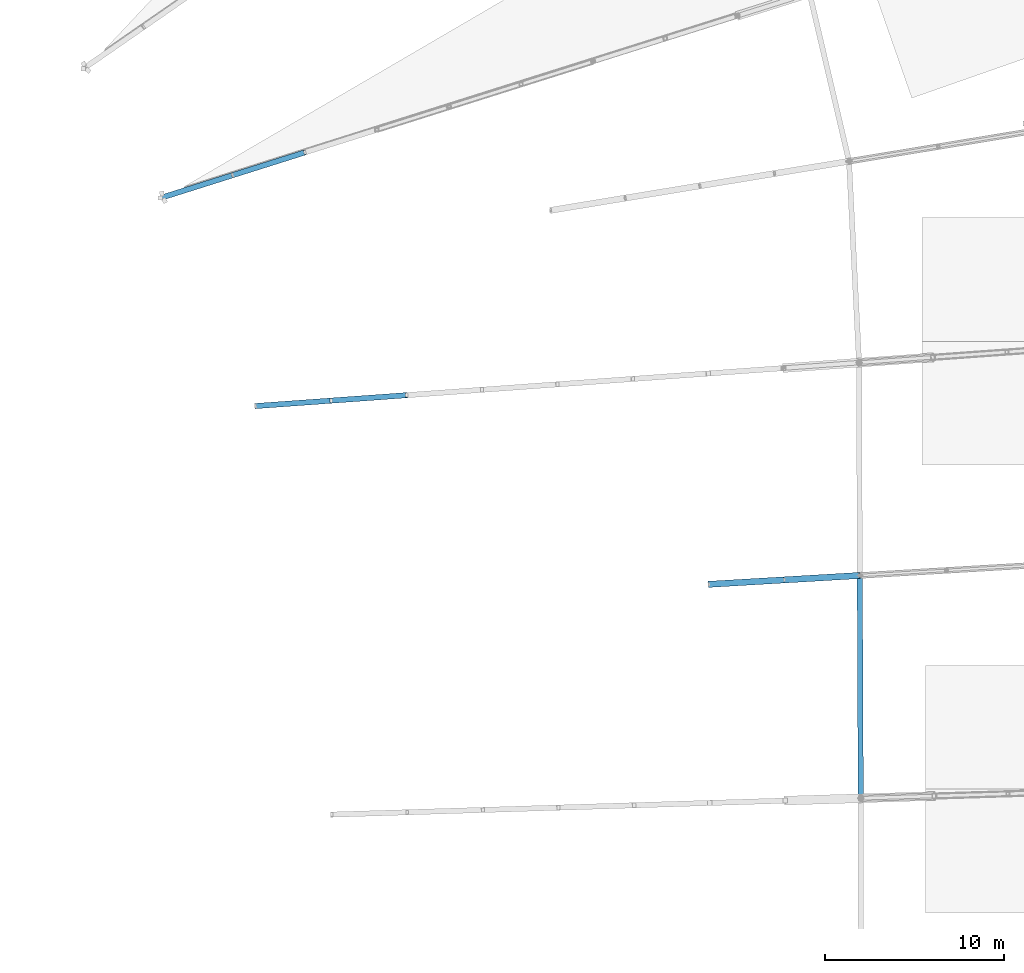
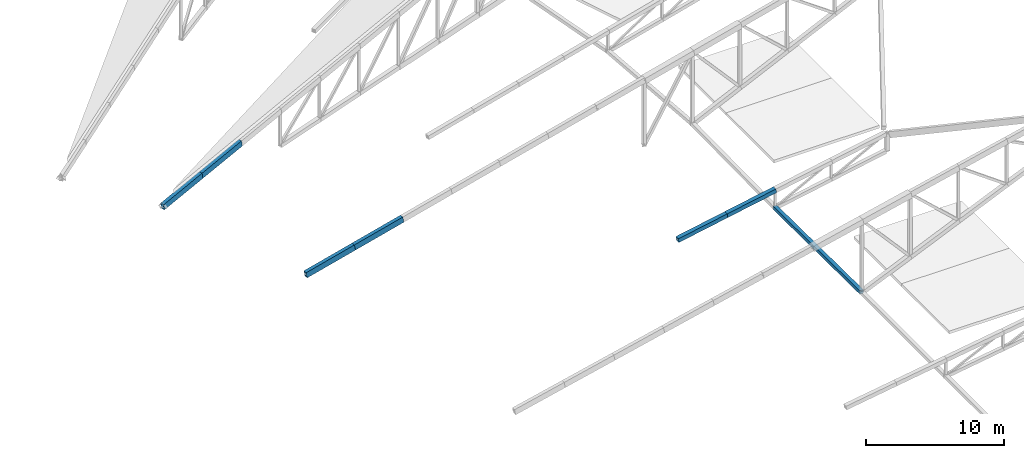
# One storey, part 91 of 188: 7 members.
"""IFC4 building model written with IfcOpenShell, lengths in metres."""

from ifc_helpers import new_model, si_unit, direction, frame, origin, origin_2d, place, context, subcontext, project, spatial, hollow_rectangle, extrude, material, material_profile, profile_set, type_object, element, save


model = new_model("IFC4")

# Units and contexts
model_context = context("Model", 3, precision=1e-05, world=origin(), true_north=direction((0.0, 1.0)))
body_context = subcontext(model_context, "Body", "Model", "MODEL_VIEW")
ifc_project = project(units=[si_unit("LENGTHUNIT", "METRE"), si_unit("AREAUNIT", "SQUARE_METRE"), si_unit("VOLUMEUNIT", "CUBIC_METRE"), si_unit("PLANEANGLEUNIT", "RADIAN"), si_unit("MASSUNIT", "GRAM", prefix="KILO")], contexts=[model_context])

# Site, building, storey
site_placement = place(None, origin())
site = spatial("IfcSite", under=ifc_project, at=site_placement, CompositionType="ELEMENT")
building_placement = place(site_placement, origin())
building = spatial("IfcBuilding", under=site, at=building_placement, Name="Meseta Stadium", CompositionType="ELEMENT")
storey_placement = place(building_placement, frame((0.0, 0.0, 30.0)))
storey = spatial("IfcBuildingStorey", under=building, at=storey_placement, Name="ROOF", CompositionType="ELEMENT", Elevation=30.0)

# Members
ifc_material_1 = material(Name="Steel S355", Category="steel")
ifc_material_profile_1 = material_profile(ifc_material_1, hollow_rectangle(XDim=0.300048828125, YDim=0.5, WallThickness=0.01611328125, at=origin_2d()), Name="RHS 500x300x16")
ifc_profile_set_1 = profile_set([ifc_material_profile_1], Name="Steel S355")
member_type_1 = type_object("IfcMemberType", Name="RHS 500x300x16 top chord", PredefinedType="CHORD", material=ifc_profile_set_1)
for number, where, z_axis, x_axis, name in (
    (1, (51.193603515625, 40.13720703125, 0.956298828125), (0.979974658819, 0.07050136531, 0.186223590238), (-0.07175657498, 0.997422174381, 0.0), "ROOF TRUSS RT-08 top chord"),
    (2, (55.405029296875, 40.440185546875, 1.756591796875), (0.979968479157, 0.07056182104, 0.186233212051), (-0.071818240378, 0.997417736131, 0.0), "ROOF TRUSS RT-08 top chord"),
):
    element("IfcMember", number, at=place(storey_placement, frame(where, z_axis=z_axis, x_axis=x_axis)), inside=storey, type_object=member_type_1, Name=name, PredefinedType="CHORD", context=body_context, shape_type="SweptSolid", body=[
        extrude(hollow_rectangle(XDim=0.300048828125, YDim=0.5, WallThickness=0.01611328125, at=origin_2d()), origin(), (0.0, 0.0, 1.0), 4.29736328125),
    ])
member_1_placement = place(storey_placement, frame((45.9775390625, 51.779052734375, 1.709716796875), z_axis=(0.941792519383, 0.297343534153, 0.156887453713), x_axis=(-0.301071861236, 0.953601454682, 0.0)))
element("IfcMember", 3, at=member_1_placement, inside=storey, type_object=member_type_1, Name="ROOF TRUSS RT-10 top chord", PredefinedType="CHORD", context=body_context, shape_type="SweptSolid", body=[
    extrude(hollow_rectangle(XDim=0.300048828125, YDim=0.5, WallThickness=0.01611328125, at=origin_2d()), origin(), (0.0, 0.0, 1.0), 4.175048828125),
])
member_2_placement = place(storey_placement, frame((49.90966796875, 53.0205078125, 2.36474609375), z_axis=(0.941776961927, 0.297403251135, 0.156867651856), x_axis=(-0.301131367937, 0.953582665134, 0.0)))
element("IfcMember", 4, at=member_2_placement, inside=storey, type_object=member_type_1, Name="ROOF TRUSS RT-10 top chord", PredefinedType="CHORD", context=body_context, shape_type="SweptSolid", body=[
    extrude(hollow_rectangle(XDim=0.300048828125, YDim=0.5, WallThickness=0.01611328125, at=origin_2d()), origin(), (0.0, 0.0, 1.0), 4.275390625),
])
ifc_material_2 = material(Name="Steel S355", Category="steel")
ifc_material_profile_2 = material_profile(ifc_material_2, hollow_rectangle(XDim=0.300048828125, YDim=0.300048828125, WallThickness=0.010009765625, at=origin_2d()), Name="SHS 300x300x10")
ifc_profile_set_2 = profile_set([ifc_material_profile_2], Name="Steel S355")
member_type_2 = type_object("IfcMemberType", Name="SHS 300x300x10 pivot strut", PredefinedType="STRUT", material=ifc_profile_set_2)
member_3_placement = place(storey_placement, frame((84.978515625, 18.24365234375, 0.85107421875), z_axis=(-0.004278965373, 0.999982430596, -0.004102310839), x_axis=(-0.999990845032, -0.004279001378, 0.0)))
element("IfcMember", 5, at=member_3_placement, inside=storey, type_object=member_type_2, Name="ROOF PIVOT STRUT RT-06/07", PredefinedType="STRUT", context=body_context, shape_type="SweptSolid", body=[
    extrude(hollow_rectangle(XDim=0.300048828125, YDim=0.300048828125, WallThickness=0.010009765625, at=origin_2d()), origin(), (0.0, 0.0, 1.0), 12.438232421875),
])
ifc_material_3 = material(Name="Steel S355", Category="steel")
ifc_material_profile_3 = material_profile(ifc_material_3, hollow_rectangle(XDim=0.35009765625, YDim=0.35009765625, WallThickness=0.010009765625, at=origin_2d()), Name="SHS 350x350x10")
ifc_profile_set_3 = profile_set([ifc_material_profile_3], Name="Steel S355")
member_type_3 = type_object("IfcMemberType", Name="SHS 350x350x10 top chord", PredefinedType="CHORD", material=ifc_profile_set_3)
member_4_placement = place(storey_placement, frame((76.495361328125, 30.1865234375, 1.208984375), z_axis=(0.98922021104, 0.058098424211, 0.134417064298), x_axis=(-0.058630505001, 0.998279752316, 0.0)))
element("IfcMember", 6, at=member_4_placement, inside=storey, type_object=member_type_3, Name="ROOF TRUSS RT-07 top chord", PredefinedType="CHORD", context=body_context, shape_type="SweptSolid", body=[
    extrude(hollow_rectangle(XDim=0.35009765625, YDim=0.35009765625, WallThickness=0.010009765625, at=origin_2d()), origin(), (0.0, 0.0, 1.0), 4.260986328125),
])
member_5_placement = place(storey_placement, frame((80.71044921875, 30.43408203125, 1.78173828125), z_axis=(0.98921898231, 0.058101717334, 0.1344246833), x_axis=(-0.05863388944, 0.998279553537, 0.0)))
element("IfcMember", 7, at=member_5_placement, inside=storey, type_object=member_type_3, Name="ROOF TRUSS RT-07 top chord", PredefinedType="CHORD", context=body_context, shape_type="SweptSolid", body=[
    extrude(hollow_rectangle(XDim=0.35009765625, YDim=0.35009765625, WallThickness=0.010009765625, at=origin_2d()), origin(), (0.0, 0.0, 1.0), 4.2607421875),
])

save(model, "model.ifc")
